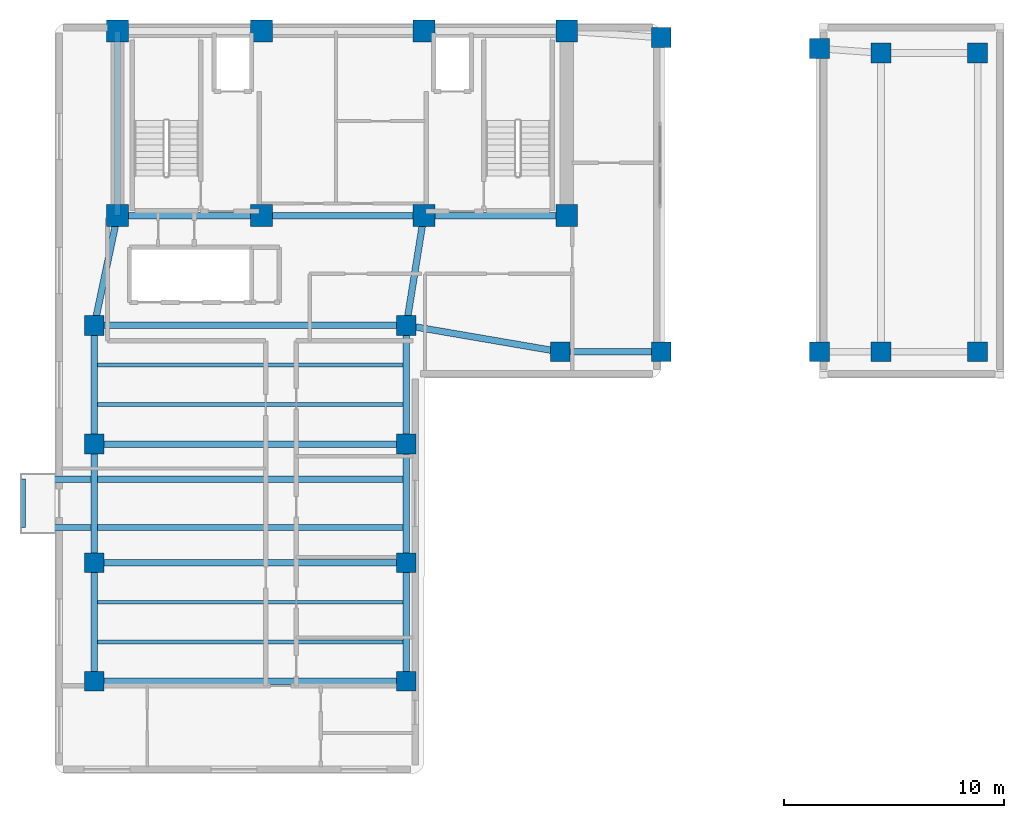
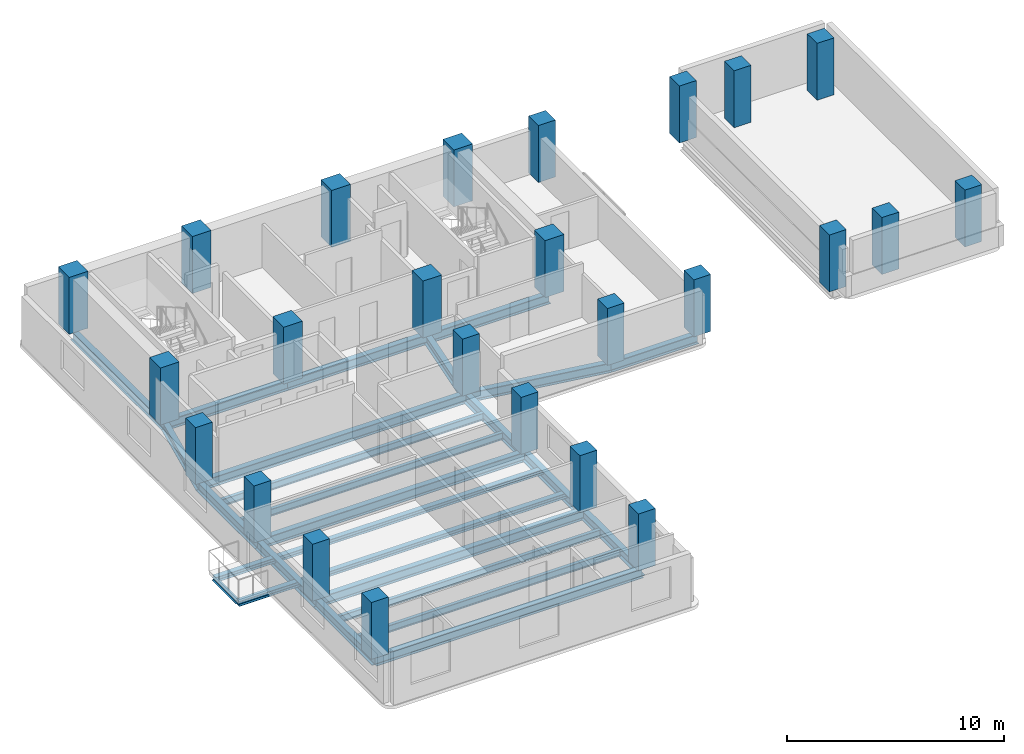
# One storey, part 1 of 10: 25 beams, 25 columns.
"""IFC4 building model written with IfcOpenShell, lengths in metres."""

from ifc_helpers import new_model, si_unit, direction, frame, origin, origin_2d, place, context, subcontext, project, spatial, rectangle, i_section, extrude, material, material_profile, profile_set, type_object, element, save


model = new_model("IFC4")

# Units and contexts
model_context = context("Model", 3, precision=1e-05, world=origin(), true_north=direction((0.0, 1.0)))
body_context = subcontext(model_context, "Body", "Model", "MODEL_VIEW")
ifc_project = project(units=[si_unit("LENGTHUNIT", "METRE"), si_unit("AREAUNIT", "SQUARE_METRE"), si_unit("VOLUMEUNIT", "CUBIC_METRE"), si_unit("PLANEANGLEUNIT", "RADIAN"), si_unit("MASSUNIT", "GRAM", prefix="KILO")], contexts=[model_context])

# Site, building, storey
site_placement = place(None, origin())
site = spatial("IfcSite", under=ifc_project, at=site_placement, CompositionType="ELEMENT")
building_placement = place(site_placement, origin())
building = spatial("IfcBuilding", under=site, at=building_placement, Name="Kuzgunbayir Cultural Tower", CompositionType="ELEMENT")
storey_placement = place(building_placement, frame((0.0, 0.0, 163.199951171875)))
storey = spatial("IfcBuildingStorey", under=building, at=storey_placement, Name="L47", CompositionType="ELEMENT", Elevation=163.199951171875)

# Columns
ifc_material_1 = material(Name="Concrete C50/60", Category="concrete")
ifc_material_profile_1 = material_profile(ifc_material_1, rectangle(XDim=1.0, YDim=1.0, at=origin_2d()), Name="RC 1000x1000")
ifc_profile_set_1 = profile_set([ifc_material_profile_1], Name="Concrete C50/60")
column_type_1 = type_object("IfcColumnType", Name="COL-CORE-1000", PredefinedType="COLUMN", material=ifc_profile_set_1)
for number, where, z_axis, x_axis, name in (
    (1, (6.449951171875, 33.800048828125, 0.0), (0.0, 0.0, 1.0), (1.0, 0.0, 0.0), "L47 T1 Core Boundary Column CC1-1"),
    (2, (13.0, 33.800048828125, 0.0), (0.0, 0.0, 1.0), (1.0, 0.0, 0.0), "L47 T1 Core Boundary Column CC1-2"),
    (3, (20.39990234375, 33.800048828125, 0.0), (0.0, 0.0, 1.0), (1.0, 0.0, 0.0), "L47 T1 Core Boundary Column CC1-3"),
    (4, (26.89990234375, 33.800048828125, 0.0), (0.0, 0.0, 1.0), (1.0, 0.0, 0.0), "L47 T1 Core Boundary Column CC1-4"),
    (5, (6.449951171875, 42.199951171875, 0.0), (0.0, 0.0, 1.0), (1.0, 0.0, 0.0), "L47 T1 Core Boundary Column CC1-5"),
    (6, (13.0, 42.199951171875, 0.0), (0.0, 0.0, 1.0), (1.0, 0.0, 0.0), "L47 T1 Core Boundary Column CC1-6"),
    (7, (20.39990234375, 42.199951171875, 0.0), (0.0, 0.0, 1.0), (1.0, 0.0, 0.0), "L47 T1 Core Boundary Column CC1-7"),
    (8, (26.89990234375, 42.199951171875, 0.0), (0.0, 0.0, 1.0), (1.0, 0.0, 0.0), "L47 T1 Core Boundary Column CC1-8"),
):
    element("IfcColumn", number, at=place(storey_placement, frame(where, z_axis=z_axis, x_axis=x_axis)), inside=storey, type_object=column_type_1, Name=name, PredefinedType="COLUMN", context=body_context, shape_type="SweptSolid", body=[
        extrude(rectangle(XDim=1.0, YDim=1.0, at=origin_2d()), origin(), (0.0, 0.0, 1.0), 3.199951171875),
    ])
ifc_material_profile_2 = material_profile(ifc_material_1, rectangle(XDim=0.89990234375, YDim=0.89990234375, at=origin_2d()), Name="RC 900x900")
ifc_profile_set_2 = profile_set([ifc_material_profile_2], Name="Concrete C50/60")
column_type_2 = type_object("IfcColumnType", Name="COL-T1-900", PredefinedType="COLUMN", material=ifc_profile_set_2)
for number, where, z_axis, x_axis, name in (
    (9, (5.39990234375, 12.60009765625, 0.0), (0.0, 0.0, 1.0), (1.0, 0.0, 0.0), "L47 Tower 1 Wing A Column T1A-W-1"),
    (10, (19.60009765625, 12.60009765625, 0.0), (0.0, 0.0, 1.0), (1.0, 0.0, 0.0), "L47 Tower 1 Wing A Column T1A-E-1"),
    (11, (5.39990234375, 18.0, 0.0), (0.0, 0.0, 1.0), (1.0, 0.0, 0.0), "L47 Tower 1 Wing A Column T1A-W-2"),
    (12, (19.60009765625, 18.0, 0.0), (0.0, 0.0, 1.0), (1.0, 0.0, 0.0), "L47 Tower 1 Wing A Column T1A-E-2"),
    (13, (5.39990234375, 23.39990234375, 0.0), (0.0, 0.0, 1.0), (1.0, 0.0, 0.0), "L47 Tower 1 Wing A Column T1A-W-3"),
    (14, (19.60009765625, 23.39990234375, 0.0), (0.0, 0.0, 1.0), (1.0, 0.0, 0.0), "L47 Tower 1 Wing A Column T1A-E-3"),
    (15, (5.39990234375, 28.800048828125, 0.0), (0.0, 0.0, 1.0), (1.0, 0.0, 0.0), "L47 Tower 1 Wing A Column T1A-W-4"),
    (16, (19.60009765625, 28.800048828125, 0.0), (0.0, 0.0, 1.0), (1.0, 0.0, 0.0), "L47 Tower 1 Wing A Column T1A-E-4"),
    (17, (26.60009765625, 27.60009765625, 0.0), (0.0, 0.0, 1.0), (1.0, 0.0, 0.0), "L47 Tower 1 Wing B Column T1B-1-1"),
    (18, (31.199951171875, 27.60009765625, 0.0), (0.0, 0.0, 1.0), (1.0, 0.0, 0.0), "L47 Tower 1 Wing B Column T1B-2-1"),
    (19, (31.199951171875, 41.89990234375, 0.0), (0.0, 0.0, 1.0), (1.0, 0.0, 0.0), "L47 Tower 1 Wing B Column T1B-2-2"),
    (20, (38.39990234375, 27.60009765625, 0.0), (0.0, 0.0, 1.0), (1.0, 0.0, 0.0), "L47 Tower 1 Wing B Column T1B-3-1"),
    (21, (38.39990234375, 41.39990234375, 0.0), (0.0, 0.0, 1.0), (1.0, 0.0, 0.0), "L47 Tower 1 Wing B Column T1B-3-2"),
    (22, (41.199951171875, 27.60009765625, 0.0), (0.0, 0.0, 1.0), (1.0, 0.0, 0.0), "L47 Tower 1 Wing B Column T1B-4-1"),
    (23, (41.199951171875, 41.199951171875, 0.0), (0.0, 0.0, 1.0), (1.0, 0.0, 0.0), "L47 Tower 1 Wing B Column T1B-4-2"),
    (24, (45.60009765625, 27.60009765625, 0.0), (0.0, 0.0, 1.0), (1.0, 0.0, 0.0), "L47 Tower 1 Wing B Column T1B-5-1"),
    (25, (45.60009765625, 41.199951171875, 0.0), (0.0, 0.0, 1.0), (1.0, 0.0, 0.0), "L47 Tower 1 Wing B Column T1B-5-2"),
):
    element("IfcColumn", number, at=place(storey_placement, frame(where, z_axis=z_axis, x_axis=x_axis)), inside=storey, type_object=column_type_2, Name=name, PredefinedType="COLUMN", context=body_context, shape_type="SweptSolid", body=[
        extrude(rectangle(XDim=0.89990234375, YDim=0.89990234375, at=origin_2d()), origin(), (0.0, 0.0, 1.0), 3.199951171875),
    ])

# Beams
ifc_material_2 = material(Name="Steel S355J2", Category="steel")
ifc_material_profile_3 = material_profile(ifc_material_2, i_section(OverallWidth=0.280029296875, OverallDepth=0.280029296875, WebThickness=0.010498046875, FlangeThickness=0.01806640625, FilletRadius=0.02392578125, at=origin_2d()), Name="HEB 280")
ifc_profile_set_3 = profile_set([ifc_material_profile_3], Name="Steel S355J2")
beam_type_1 = type_object("IfcBeamType", Name="BM-BAL-HEB280", PredefinedType="BEAM", material=ifc_profile_set_3)
for number, where, z_axis, x_axis, name in (
    (26, (2.159912109375, 19.60009765625, -0.33984375), (1.0, 0.0, 0.0), (0.0, 1.0, 0.0), "L47 Balcony Outrigger Beam BAL-L47-WA2.1"),
    (27, (2.159912109375, 21.800048828125, -0.33984375), (1.0, 0.0, 0.0), (0.0, 1.0, 0.0), "L47 Balcony Outrigger Beam BAL-L47-WA2.2"),
):
    element("IfcBeam", number, at=place(storey_placement, frame(where, z_axis=z_axis, x_axis=x_axis)), inside=storey, type_object=beam_type_1, Name=name, PredefinedType="BEAM", context=body_context, shape_type="SweptSolid", body=[
        extrude(i_section(OverallWidth=0.280029296875, OverallDepth=0.280029296875, WebThickness=0.010498046875, FlangeThickness=0.01806640625, FilletRadius=0.02392578125, at=origin_2d()), origin(), (0.0, 0.0, 1.0), 17.440185546875),
    ])
ifc_material_profile_4 = material_profile(ifc_material_2, i_section(OverallWidth=0.199951171875, OverallDepth=0.199951171875, WebThickness=0.009033203125, FlangeThickness=0.014892578125, FilletRadius=0.01806640625, at=origin_2d()), Name="HEB 200")
ifc_profile_set_4 = profile_set([ifc_material_profile_4], Name="Steel S355J2")
beam_type_2 = type_object("IfcBeamType", Name="BM-CAN-HEB200", PredefinedType="BEAM", material=ifc_profile_set_4)
beam_1_placement = place(storey_placement, frame((2.159912109375, 19.60009765625, -0.300048828125), z_axis=(0.0, 1.0, 0.0), x_axis=(-1.0, 0.0, 0.0)))
element("IfcBeam", 28, at=beam_1_placement, inside=storey, type_object=beam_type_2, Name="L47 Balcony Edge Header BAL-L47-WA2", PredefinedType="BEAM", context=body_context, shape_type="SweptSolid", body=[
    extrude(i_section(OverallWidth=0.199951171875, OverallDepth=0.199951171875, WebThickness=0.009033203125, FlangeThickness=0.014892578125, FilletRadius=0.01806640625, at=origin_2d()), origin(), (0.0, 0.0, 1.0), 2.199951171875),
])
ifc_material_profile_5 = material_profile(ifc_material_2, i_section(OverallWidth=0.300048828125, OverallDepth=0.550048828125, WebThickness=0.014892578125, FlangeThickness=0.029052734375, FilletRadius=0.027099609375, at=origin_2d()), Name="HEB 550")
ifc_profile_set_5 = profile_set([ifc_material_profile_5], Name="Steel S355J2")
beam_type_3 = type_object("IfcBeamType", Name="BM-EXT-HEB550", PredefinedType="BEAM", material=ifc_profile_set_5)
for number, where, z_axis, x_axis, name in (
    (29, (5.39990234375, 12.60009765625, -0.449951171875), (0.0, 1.0, 0.0), (-1.0, 0.0, 0.0), "L47 Wing A West Girder 1"),
    (30, (19.60009765625, 12.60009765625, -0.449951171875), (0.0, 1.0, 0.0), (-1.0, 0.0, 0.0), "L47 Wing A East Girder 1"),
    (31, (5.39990234375, 18.0, -0.449951171875), (0.0, 1.0, 0.0), (-1.0, 0.0, 0.0), "L47 Wing A West Girder 2"),
    (32, (19.60009765625, 18.0, -0.449951171875), (0.0, 1.0, 0.0), (-1.0, 0.0, 0.0), "L47 Wing A East Girder 2"),
):
    element("IfcBeam", number, at=place(storey_placement, frame(where, z_axis=z_axis, x_axis=x_axis)), inside=storey, type_object=beam_type_3, Name=name, PredefinedType="BEAM", context=body_context, shape_type="SweptSolid", body=[
        extrude(i_section(OverallWidth=0.300048828125, OverallDepth=0.550048828125, WebThickness=0.014892578125, FlangeThickness=0.029052734375, FilletRadius=0.027099609375, at=origin_2d()), origin(), (0.0, 0.0, 1.0), 5.39990234375),
    ])
for number, where, z_axis, x_axis, name in (
    (33, (5.39990234375, 23.39990234375, -0.449951171875), (0.0, 1.0, 0.0), (-1.0, 0.0, 0.0), "L47 Wing A West Girder 3"),
    (34, (19.60009765625, 23.39990234375, -0.449951171875), (0.0, 1.0, 0.0), (-1.0, 0.0, 0.0), "L47 Wing A East Girder 3"),
):
    element("IfcBeam", number, at=place(storey_placement, frame(where, z_axis=z_axis, x_axis=x_axis)), inside=storey, type_object=beam_type_3, Name=name, PredefinedType="BEAM", context=body_context, shape_type="SweptSolid", body=[
        extrude(i_section(OverallWidth=0.300048828125, OverallDepth=0.550048828125, WebThickness=0.014892578125, FlangeThickness=0.029052734375, FilletRadius=0.027099609375, at=origin_2d()), origin(), (0.0, 0.0, 1.0), 5.400146484375),
    ])
beam_2_placement = place(storey_placement, frame((26.60009765625, 27.60009765625, -0.449951171875), z_axis=(1.0, 0.0, 0.0), x_axis=(0.0, 1.0, 0.0)))
element("IfcBeam", 35, at=beam_2_placement, inside=storey, type_object=beam_type_3, Name="L47 Wing B South Girder", PredefinedType="BEAM", context=body_context, shape_type="SweptSolid", body=[
    extrude(i_section(OverallWidth=0.300048828125, OverallDepth=0.550048828125, WebThickness=0.014892578125, FlangeThickness=0.029052734375, FilletRadius=0.027099609375, at=origin_2d()), origin(), (0.0, 0.0, 1.0), 4.599853515625),
])
ifc_material_profile_6 = material_profile(ifc_material_2, i_section(OverallWidth=0.300048828125, OverallDepth=0.550048828125, WebThickness=0.014892578125, FlangeThickness=0.029052734375, FilletRadius=0.027099609375, at=origin_2d()), Name="HEB 550")
ifc_profile_set_6 = profile_set([ifc_material_profile_6], Name="Steel S355J2")
beam_type_4 = type_object("IfcBeamType", Name="BM-GIR-HEB550", PredefinedType="BEAM", material=ifc_profile_set_6)
beam_3_placement = place(storey_placement, frame((6.449951171875, 33.800048828125, -0.449951171875), z_axis=(1.0, 0.0, 0.0), x_axis=(0.0, 1.0, 0.0)))
element("IfcBeam", 36, at=beam_3_placement, inside=storey, type_object=beam_type_4, Name="L47 Core South Girder 1", PredefinedType="BEAM", context=body_context, shape_type="SweptSolid", body=[
    extrude(i_section(OverallWidth=0.300048828125, OverallDepth=0.550048828125, WebThickness=0.014892578125, FlangeThickness=0.029052734375, FilletRadius=0.027099609375, at=origin_2d()), origin(), (0.0, 0.0, 1.0), 6.550048828125),
])
beam_4_placement = place(storey_placement, frame((13.0, 33.800048828125, -0.449951171875), z_axis=(1.0, 0.0, 0.0), x_axis=(0.0, 1.0, 0.0)))
element("IfcBeam", 37, at=beam_4_placement, inside=storey, type_object=beam_type_4, Name="L47 Core South Girder 2", PredefinedType="BEAM", context=body_context, shape_type="SweptSolid", body=[
    extrude(i_section(OverallWidth=0.300048828125, OverallDepth=0.550048828125, WebThickness=0.014892578125, FlangeThickness=0.029052734375, FilletRadius=0.027099609375, at=origin_2d()), origin(), (0.0, 0.0, 1.0), 7.39990234375),
])
beam_5_placement = place(storey_placement, frame((20.39990234375, 33.800048828125, -0.449951171875), z_axis=(1.0, 0.0, 0.0), x_axis=(0.0, 1.0, 0.0)))
element("IfcBeam", 38, at=beam_5_placement, inside=storey, type_object=beam_type_4, Name="L47 Core South Girder 3", PredefinedType="BEAM", context=body_context, shape_type="SweptSolid", body=[
    extrude(i_section(OverallWidth=0.300048828125, OverallDepth=0.550048828125, WebThickness=0.014892578125, FlangeThickness=0.029052734375, FilletRadius=0.027099609375, at=origin_2d()), origin(), (0.0, 0.0, 1.0), 6.5),
])
beam_6_placement = place(storey_placement, frame((6.449951171875, 33.800048828125, -0.449951171875), z_axis=(0.0, 1.0, 0.0), x_axis=(-1.0, 0.0, 0.0)))
element("IfcBeam", 39, at=beam_6_placement, inside=storey, type_object=beam_type_4, Name="L47 Core West Edge Girder", PredefinedType="BEAM", context=body_context, shape_type="SweptSolid", body=[
    extrude(i_section(OverallWidth=0.300048828125, OverallDepth=0.550048828125, WebThickness=0.014892578125, FlangeThickness=0.029052734375, FilletRadius=0.027099609375, at=origin_2d()), origin(), (0.0, 0.0, 1.0), 8.39990234375),
])
for number, where, z_axis, x_axis, name in (
    (40, (5.39990234375, 12.60009765625, -0.449951171875), (1.0, 0.0, 0.0), (0.0, 1.0, 0.0), "L47 Wing A Transverse Girder 1"),
    (41, (5.39990234375, 18.0, -0.449951171875), (1.0, 0.0, 0.0), (0.0, 1.0, 0.0), "L47 Wing A Transverse Girder 2"),
    (42, (5.39990234375, 23.39990234375, -0.449951171875), (1.0, 0.0, 0.0), (0.0, 1.0, 0.0), "L47 Wing A Transverse Girder 3"),
    (43, (5.39990234375, 28.800048828125, -0.449951171875), (1.0, 0.0, 0.0), (0.0, 1.0, 0.0), "L47 Wing A Transverse Girder 4"),
):
    element("IfcBeam", number, at=place(storey_placement, frame(where, z_axis=z_axis, x_axis=x_axis)), inside=storey, type_object=beam_type_4, Name=name, PredefinedType="BEAM", context=body_context, shape_type="SweptSolid", body=[
        extrude(i_section(OverallWidth=0.300048828125, OverallDepth=0.550048828125, WebThickness=0.014892578125, FlangeThickness=0.029052734375, FilletRadius=0.027099609375, at=origin_2d()), origin(), (0.0, 0.0, 1.0), 14.2001953125),
    ])
beam_7_placement = place(storey_placement, frame((5.39990234375, 28.800048828125, -0.449951171875), z_axis=(0.205526387753, 0.978651574329, 0.0), x_axis=(-0.978651574329, 0.205526387753, 0.0)))
element("IfcBeam", 44, at=beam_7_placement, inside=storey, type_object=beam_type_4, Name="L47 Wing A West Core Floor Girder", PredefinedType="BEAM", context=body_context, shape_type="SweptSolid", body=[
    extrude(i_section(OverallWidth=0.300048828125, OverallDepth=0.550048828125, WebThickness=0.014892578125, FlangeThickness=0.029052734375, FilletRadius=0.027099609375, at=origin_2d()), origin(), (0.0, 0.0, 1.0), 5.109130859375),
])
beam_8_placement = place(storey_placement, frame((19.60009765625, 28.800048828125, -0.449951171875), z_axis=(0.157952891656, 0.987446648694, 0.0), x_axis=(-0.987446648694, 0.157952891656, 0.0)))
element("IfcBeam", 45, at=beam_8_placement, inside=storey, type_object=beam_type_4, Name="L47 Wing A East Core Floor Girder", PredefinedType="BEAM", context=body_context, shape_type="SweptSolid", body=[
    extrude(i_section(OverallWidth=0.300048828125, OverallDepth=0.550048828125, WebThickness=0.014892578125, FlangeThickness=0.029052734375, FilletRadius=0.027099609375, at=origin_2d()), origin(), (0.0, 0.0, 1.0), 5.0634765625),
])
beam_9_placement = place(storey_placement, frame((19.60009765625, 28.800048828125, -0.449951171875), z_axis=(0.985623399742, -0.168957136221, 0.0), x_axis=(0.168957136221, 0.985623399742, 0.0)))
element("IfcBeam", 46, at=beam_9_placement, inside=storey, type_object=beam_type_4, Name="L47 Wing B Waist Tie", PredefinedType="BEAM", context=body_context, shape_type="SweptSolid", body=[
    extrude(i_section(OverallWidth=0.300048828125, OverallDepth=0.550048828125, WebThickness=0.014892578125, FlangeThickness=0.029052734375, FilletRadius=0.027099609375, at=origin_2d()), origin(), (0.0, 0.0, 1.0), 7.10205078125),
])
ifc_material_profile_7 = material_profile(ifc_material_2, i_section(OverallWidth=0.179931640625, OverallDepth=0.39990234375, WebThickness=0.008544921875, FlangeThickness=0.013427734375, FilletRadius=0.02099609375, at=origin_2d()), Name="IPE 400")
ifc_profile_set_7 = profile_set([ifc_material_profile_7], Name="Steel S355J2")
beam_type_5 = type_object("IfcBeamType", Name="BM-JST-IPE400", PredefinedType="JOIST", material=ifc_profile_set_7)
for number, where, z_axis, x_axis, name in (
    (47, (5.550048828125, 14.39990234375, -0.3798828125), (1.0, 0.0, 0.0), (0.0, 1.0, 0.0), "L47 Wing A Secondary Joist 1"),
    (48, (5.550048828125, 16.199951171875, -0.3798828125), (1.0, 0.0, 0.0), (0.0, 1.0, 0.0), "L47 Wing A Secondary Joist 2"),
    (49, (5.550048828125, 25.199951171875, -0.3798828125), (1.0, 0.0, 0.0), (0.0, 1.0, 0.0), "L47 Wing A Secondary Joist 5"),
    (50, (5.550048828125, 27.0, -0.3798828125), (1.0, 0.0, 0.0), (0.0, 1.0, 0.0), "L47 Wing A Secondary Joist 6"),
):
    element("IfcBeam", number, at=place(storey_placement, frame(where, z_axis=z_axis, x_axis=x_axis)), inside=storey, type_object=beam_type_5, Name=name, PredefinedType="JOIST", context=body_context, shape_type="SweptSolid", body=[
        extrude(i_section(OverallWidth=0.179931640625, OverallDepth=0.39990234375, WebThickness=0.008544921875, FlangeThickness=0.013427734375, FilletRadius=0.02099609375, at=origin_2d()), origin(), (0.0, 0.0, 1.0), 13.89990234375),
    ])

save(model, "model.ifc")
